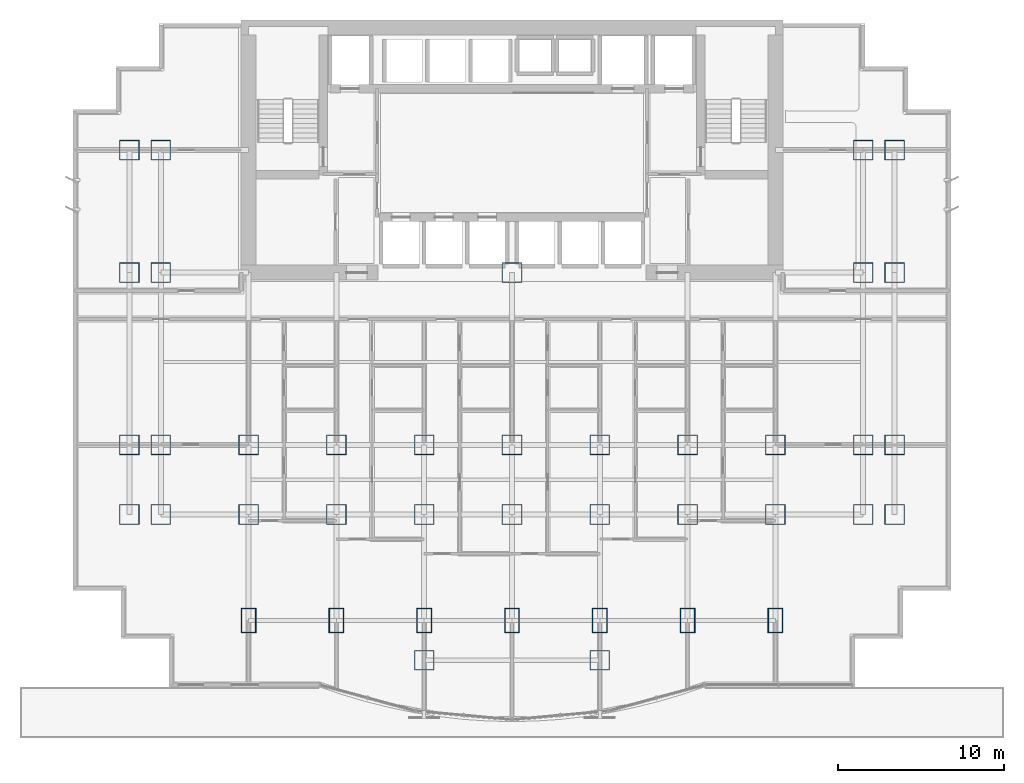
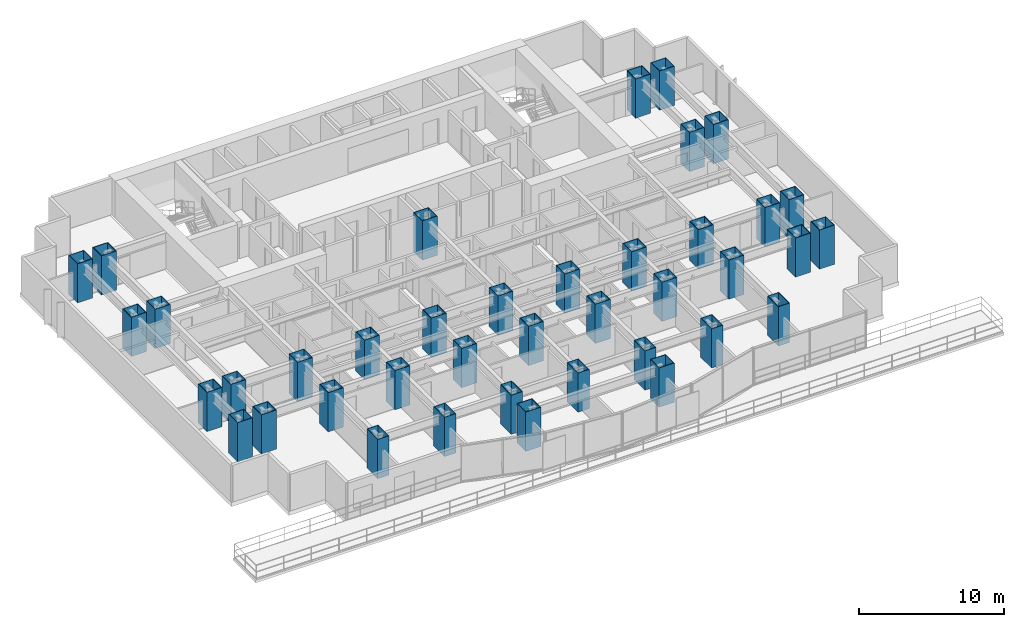
# One storey, part 1 of 11: 40 columns.
"""IFC4 building model written with IfcOpenShell, lengths in metres."""

import ifcopenshell
import ifcopenshell.guid

model = None  # the IFC model being written
_history = None  # IfcOwnerHistory: only IFC2X3 demands one
_inside = {}  # id of a spatial element -> (the spatial element, [elements in it])
_under = {}  # id of a project, library or spatial element -> (it, [spatial elements below it])
_declared = {}  # id of a project -> (the project, [libraries it declares])
_typed = {}  # id of a type object -> (the type object, [elements of that type])
_made_of = {}  # id of a material, layer set ... -> (it, [elements and type objects made of it])


def new_model(schema):
    """Start an empty IFC model of exactly this schema.

    Asked for "IFC4X3", IfcOpenShell would pick the latest addendum, in which some entities
    have other attributes; the version numbers below select the first issue.
    IFC2X3 requires an IfcOwnerHistory on every rooted entity: one is made here for all.
    """
    global model, _history
    if schema == "IFC4X3":
        model = ifcopenshell.file(schema_version=(4, 3, 0, 0))
    else:
        model = ifcopenshell.file(schema=schema)
    _inside.clear()
    _under.clear()
    _declared.clear()
    _typed.clear()
    _made_of.clear()
    _history = None
    if model.schema == "IFC2X3":
        org = make("IfcOrganization", Name="unknown")
        user = make(
            "IfcPersonAndOrganization",
            ThePerson=make("IfcPerson", FamilyName="unknown"),
            TheOrganization=org,
        )
        app = make(
            "IfcApplication",
            ApplicationDeveloper=org,
            Version="unknown",
            ApplicationFullName="unknown",
            ApplicationIdentifier="unknown",
        )
        _history = make(
            "IfcOwnerHistory",
            OwningUser=user,
            OwningApplication=app,
            ChangeAction="ADDED",
            CreationDate=0,
        )
    return model


def make(cls, **values):
    """One entity of the class cls with the attributes given. An attribute that is None is left unset."""
    return model.create_entity(
        cls, **{name: value for name, value in values.items() if value is not None}
    )


def rooted(cls, **values):
    """An entity with a GlobalId (a new one), such as an element, a storey or a relation."""
    return make(cls, GlobalId=ifcopenshell.guid.new(), OwnerHistory=_history, **values)


def si_unit(unit_type, name, prefix=None):
    """IfcSIUnit, for example si_unit("LENGTHUNIT", "METRE", prefix="MILLI")."""
    return make("IfcSIUnit", UnitType=unit_type, Prefix=prefix, Name=name)


def assignment(units):
    """IfcUnitAssignment: the units of a project."""
    return None if units is None else make("IfcUnitAssignment", Units=units)


def point(xyz):
    """IfcCartesianPoint."""
    return None if xyz is None else make("IfcCartesianPoint", Coordinates=xyz)


def direction(xyz):
    """IfcDirection."""
    return None if xyz is None else make("IfcDirection", DirectionRatios=xyz)


def frame(location, z_axis=None, x_axis=None):
    """IfcAxis2Placement3D, a coordinate frame: its origin and axes. An axis left out is left unset."""
    return make(
        "IfcAxis2Placement3D",
        Location=point(location),
        Axis=direction(z_axis),
        RefDirection=direction(x_axis),
    )


def frame_2d(location, x_axis=None):
    """IfcAxis2Placement2D, a coordinate frame in the plane: its origin and x axis."""
    return make(
        "IfcAxis2Placement2D", Location=point(location), RefDirection=direction(x_axis)
    )


def origin():
    """The frame at (0, 0, 0) with its axes left unset."""
    return frame((0.0, 0.0, 0.0))


def origin_2d():
    """The frame at (0, 0) in the plane with its x axis left unset."""
    return frame_2d((0.0, 0.0))


def place(relative_to, where):
    """IfcLocalPlacement: puts the frame where relative to a parent placement (None: the world)."""
    return make(
        "IfcLocalPlacement", PlacementRelTo=relative_to, RelativePlacement=where
    )


def context(
    kind, dimensions, precision=None, world=None, true_north=None, identifier=None
):
    """IfcGeometricRepresentationContext, for example the 3D "Model" context."""
    return make(
        "IfcGeometricRepresentationContext",
        ContextIdentifier=identifier,
        ContextType=kind,
        CoordinateSpaceDimension=dimensions,
        Precision=precision,
        WorldCoordinateSystem=world,
        TrueNorth=true_north,
    )


def subcontext(parent, identifier, kind, view, scale=None):
    """IfcGeometricRepresentationSubContext, for example "Body" below "Model"."""
    return make(
        "IfcGeometricRepresentationSubContext",
        ContextIdentifier=identifier,
        ContextType=kind,
        ParentContext=parent,
        TargetScale=scale,
        TargetView=view,
    )


def project(units=None, contexts=None):
    """IfcProject with its units and contexts."""
    return rooted(
        "IfcProject",
        Name="project",
        RepresentationContexts=contexts,
        UnitsInContext=assignment(units),
    )


def spatial(cls, under=None, at=None, **own):
    """A site, building, storey or space (cls), placed at a placement, below another one or the project."""
    s = rooted(cls, ObjectPlacement=at, **own)
    if under is not None:
        _under.setdefault(under.id(), (under, []))[1].append(s)
    return s


def profile(cls, at=None, kind="AREA", **sizes):
    """A parametric profile (cls). Its sizes go by their IFC names, for example OverallWidth=200.0."""
    return make(cls, ProfileType=kind, Position=at, **sizes)


def hollow_rectangle(**sizes):
    """IfcRectangleHollowProfileDef."""
    return profile("IfcRectangleHollowProfileDef", **sizes)


def extrude(swept, where, along, depth):
    """IfcExtrudedAreaSolid: the profile swept, set in the frame where, extruded along a direction by depth."""
    return make(
        "IfcExtrudedAreaSolid",
        SweptArea=swept,
        Position=where,
        ExtrudedDirection=direction(along),
        Depth=depth,
    )


def shape(context_of_items, identifier, shape_type, items):
    """IfcShapeRepresentation: the items that make up one representation, for example the "Body"."""
    return make(
        "IfcShapeRepresentation",
        ContextOfItems=context_of_items,
        RepresentationIdentifier=identifier,
        RepresentationType=shape_type,
        Items=items,
    )


def material(Name=None, Category=None):
    """IfcMaterial."""
    return make("IfcMaterial", Name=Name, Category=Category)


def material_profile(
    of_material, cross_section, Name=None, Category=None, Priority=None
):
    """IfcMaterialProfile: a cross section and its material."""
    return make(
        "IfcMaterialProfile",
        Name=Name,
        Material=of_material,
        Profile=cross_section,
        Priority=Priority,
        Category=Category,
    )


def profile_set(profiles, Name=None, composite=None):
    """IfcMaterialProfileSet."""
    return make(
        "IfcMaterialProfileSet",
        Name=Name,
        MaterialProfiles=profiles,
        CompositeProfile=composite,
    )


def made_of(thing, what):
    """Note that an element or type object is made of a material, layer set ...; save() writes the relation."""
    if what is not None:
        _made_of.setdefault(what.id(), (what, []))[1].append(thing)
    return thing


def type_object(cls, material=None, **own):
    """A type object (cls), such as IfcWallType, which elements share."""
    return made_of(rooted(cls, **own), material)


def element(
    cls,
    number,
    at=None,
    inside=None,
    cuts=None,
    type_object=None,
    material=None,
    context=None,
    identifier="Body",
    shape_type=None,
    held_by="IfcProductDefinitionShape",
    body=None,
    shapes=None,
    **own,
):
    """One element of the class cls, such as IfcWall. Its Tag is "e" and its number.

    at: its placement. inside: the storey or other place that contains it. cuts: it is an
    opening in that element (IfcRelVoidsElement). A single representation is given by context,
    identifier, shape_type and body (its items); several are given by shapes. held_by: the class
    of the entity that holds the representations. save() writes the other relations.
    """
    e = rooted(cls, Tag="e%d" % number, ObjectPlacement=at, **own)
    if body is not None:
        shapes = [shape(context, identifier, shape_type, body)]
    if shapes is not None:
        e.Representation = make(held_by, Representations=shapes)
    if inside is not None:
        _inside.setdefault(inside.id(), (inside, []))[1].append(e)
    if cuts is not None:
        rooted(
            "IfcRelVoidsElement", RelatingBuildingElement=cuts, RelatedOpeningElement=e
        )
    if type_object is not None:
        _typed.setdefault(type_object.id(), (type_object, []))[1].append(e)
    return made_of(e, material)


def aggregate(whole, parts):
    """IfcRelAggregates: a whole, such as a stair, and the parts it consists of."""
    return rooted("IfcRelAggregates", RelatingObject=whole, RelatedObjects=parts)


def save(model, path):
    """Write the relations noted so far, then the file.

    IfcRelAggregates (storeys below a building ...), IfcRelContainedInSpatialStructure (elements
    in a storey), IfcRelDefinesByType, IfcRelAssociatesMaterial and IfcRelDeclares: one each for
    every whole, place, type object, material and project.
    """
    for whole, parts in _under.values():
        aggregate(whole, parts)
    for where, things in _inside.values():
        rooted(
            "IfcRelContainedInSpatialStructure",
            RelatedElements=things,
            RelatingStructure=where,
        )
    for kind, things in _typed.values():
        rooted("IfcRelDefinesByType", RelatedObjects=things, RelatingType=kind)
    for what, things in _made_of.values():
        rooted("IfcRelAssociatesMaterial", RelatedObjects=things, RelatingMaterial=what)
    for by, libraries in _declared.values():
        rooted("IfcRelDeclares", RelatingContext=by, RelatedDefinitions=libraries)
    model.write(path)


model = new_model("IFC4")

# Units and contexts
model_context = context("Model", 3, precision=1e-05, world=origin(), true_north=direction((0.0, 1.0)))
body_context = subcontext(model_context, "Body", "Model", "MODEL_VIEW")
ifc_project = project(units=[si_unit("LENGTHUNIT", "METRE"), si_unit("AREAUNIT", "SQUARE_METRE"), si_unit("VOLUMEUNIT", "CUBIC_METRE"), si_unit("PLANEANGLEUNIT", "RADIAN"), si_unit("MASSUNIT", "GRAM", prefix="KILO")], contexts=[model_context])

# Site, building, storey
site_placement = place(None, origin())
site = spatial("IfcSite", under=ifc_project, at=site_placement, CompositionType="ELEMENT")
building_placement = place(site_placement, origin())
building = spatial("IfcBuilding", under=site, at=building_placement, Name="Qianlan Lanfeng Residences", CompositionType="ELEMENT")
storey_placement = place(building_placement, frame((0.0, 0.0, 24.199951171875)))
storey = spatial("IfcBuildingStorey", under=building, at=storey_placement, Name="L05", CompositionType="ELEMENT", Elevation=24.199951171875)

# Columns
ifc_material_1 = material(Name="Steel SM570 (420 MPa)", Category="steel")
ifc_material_profile_1 = material_profile(ifc_material_1, hollow_rectangle(XDim=1.199951171875, YDim=1.199951171875, WallThickness=0.0400390625, at=origin_2d()), Name="BOX 1200x1200x40")
ifc_profile_set_1 = profile_set([ifc_material_profile_1], Name="Steel SM570 (420 MPa)")
column_type_1 = type_object("IfcColumnType", Name="C-B1400", PredefinedType="COLUMN", material=ifc_profile_set_1)
for number, where, z_axis, x_axis, name in (
    (1, (26.5, 25.199951171875, 0.0), (0.0, 0.0, 1.0), (1.0, 0.0, 0.0), "L05 Structural Column CP_26.5_25.2"),
    (2, (10.60009765625, 14.800048828125, 0.0), (0.0, 0.0, 1.0), (1.0, 0.0, 0.0), "L05 Structural Column M_10.60_14.80"),
    (3, (10.60009765625, 10.60009765625, 0.0), (0.0, 0.0, 1.0), (1.0, 0.0, 0.0), "L05 Structural Column G_10.60_10.60"),
    (4, (15.89990234375, 14.800048828125, 0.0), (0.0, 0.0, 1.0), (1.0, 0.0, 0.0), "L05 Structural Column M_15.90_14.80"),
    (5, (15.89990234375, 10.60009765625, 0.0), (0.0, 0.0, 1.0), (1.0, 0.0, 0.0), "L05 Structural Column G_15.90_10.60"),
    (6, (21.199951171875, 14.800048828125, 0.0), (0.0, 0.0, 1.0), (1.0, 0.0, 0.0), "L05 Structural Column M_21.20_14.80"),
    (7, (21.199951171875, 10.60009765625, 0.0), (0.0, 0.0, 1.0), (1.0, 0.0, 0.0), "L05 Structural Column G_21.20_10.60"),
    (8, (26.5, 14.800048828125, 0.0), (0.0, 0.0, 1.0), (1.0, 0.0, 0.0), "L05 Structural Column M_26.50_14.80"),
    (9, (26.5, 10.60009765625, 0.0), (0.0, 0.0, 1.0), (1.0, 0.0, 0.0), "L05 Structural Column G_26.50_10.60"),
    (10, (31.800048828125, 14.800048828125, 0.0), (0.0, 0.0, 1.0), (1.0, 0.0, 0.0), "L05 Structural Column M_31.80_14.80"),
    (11, (31.800048828125, 10.60009765625, 0.0), (0.0, 0.0, 1.0), (1.0, 0.0, 0.0), "L05 Structural Column G_31.80_10.60"),
    (12, (37.10009765625, 14.800048828125, 0.0), (0.0, 0.0, 1.0), (1.0, 0.0, 0.0), "L05 Structural Column M_37.10_14.80"),
    (13, (37.10009765625, 10.60009765625, 0.0), (0.0, 0.0, 1.0), (1.0, 0.0, 0.0), "L05 Structural Column G_37.10_10.60"),
    (14, (42.39990234375, 14.800048828125, 0.0), (0.0, 0.0, 1.0), (1.0, 0.0, 0.0), "L05 Structural Column M_42.40_14.80"),
    (15, (42.39990234375, 10.60009765625, 0.0), (0.0, 0.0, 1.0), (1.0, 0.0, 0.0), "L05 Structural Column G_42.40_10.60"),
    (16, (21.199951171875, 1.800048828125, 0.0), (0.0, 0.0, 1.0), (1.0, 0.0, 0.0), "L05 Structural Column P_21.20_1.80"),
    (17, (31.800048828125, 1.800048828125, 0.0), (0.0, 0.0, 1.0), (1.0, 0.0, 0.0), "L05 Structural Column P_31.80_1.80"),
    (18, (3.39990234375, 10.60009765625, 0.0), (0.0, 0.0, 1.0), (1.0, 0.0, 0.0), "L05 Structural Column W_3.40_10.60"),
    (19, (3.39990234375, 14.800048828125, 0.0), (0.0, 0.0, 1.0), (1.0, 0.0, 0.0), "L05 Structural Column W_3.40_14.80"),
    (20, (3.39990234375, 25.199951171875, 0.0), (0.0, 0.0, 1.0), (1.0, 0.0, 0.0), "L05 Structural Column W_3.40_25.20"),
    (21, (3.39990234375, 32.60009765625, 0.0), (0.0, 0.0, 1.0), (1.0, 0.0, 0.0), "L05 Structural Column W_3.40_32.60"),
    (22, (5.300048828125, 10.60009765625, 0.0), (0.0, 0.0, 1.0), (1.0, 0.0, 0.0), "L05 Structural Column W_5.30_10.60"),
    (23, (5.300048828125, 14.800048828125, 0.0), (0.0, 0.0, 1.0), (1.0, 0.0, 0.0), "L05 Structural Column W_5.30_14.80"),
    (24, (5.300048828125, 25.199951171875, 0.0), (0.0, 0.0, 1.0), (1.0, 0.0, 0.0), "L05 Structural Column W_5.30_25.20"),
    (25, (5.300048828125, 32.60009765625, 0.0), (0.0, 0.0, 1.0), (1.0, 0.0, 0.0), "L05 Structural Column W_5.30_32.60"),
    (26, (47.699951171875, 10.60009765625, 0.0), (0.0, 0.0, 1.0), (1.0, 0.0, 0.0), "L05 Structural Column W_47.70_10.60"),
    (27, (47.699951171875, 14.800048828125, 0.0), (0.0, 0.0, 1.0), (1.0, 0.0, 0.0), "L05 Structural Column W_47.70_14.80"),
    (28, (47.699951171875, 25.199951171875, 0.0), (0.0, 0.0, 1.0), (1.0, 0.0, 0.0), "L05 Structural Column W_47.70_25.20"),
    (29, (47.699951171875, 32.60009765625, 0.0), (0.0, 0.0, 1.0), (1.0, 0.0, 0.0), "L05 Structural Column W_47.70_32.60"),
    (30, (49.60009765625, 10.60009765625, 0.0), (0.0, 0.0, 1.0), (1.0, 0.0, 0.0), "L05 Structural Column W_49.60_10.60"),
    (31, (49.60009765625, 14.800048828125, 0.0), (0.0, 0.0, 1.0), (1.0, 0.0, 0.0), "L05 Structural Column W_49.60_14.80"),
    (32, (49.60009765625, 25.199951171875, 0.0), (0.0, 0.0, 1.0), (1.0, 0.0, 0.0), "L05 Structural Column W_49.60_25.20"),
    (33, (49.60009765625, 32.60009765625, 0.0), (0.0, 0.0, 1.0), (1.0, 0.0, 0.0), "L05 Structural Column W_49.60_32.60"),
):
    element("IfcColumn", number, at=place(storey_placement, frame(where, z_axis=z_axis, x_axis=x_axis)), inside=storey, type_object=column_type_1, Name=name, PredefinedType="COLUMN", context=body_context, shape_type="SweptSolid", body=[
        extrude(hollow_rectangle(XDim=1.199951171875, YDim=1.199951171875, WallThickness=0.0400390625, at=origin_2d()), origin(), (0.0, 0.0, 1.0), 3.300048828125),
    ])
ifc_material_2 = material(Name="Steel SN490B", Category="steel")
ifc_material_profile_2 = material_profile(ifc_material_2, hollow_rectangle(XDim=0.89990234375, YDim=1.5, WallThickness=0.035888671875, at=origin_2d()), Name="BOX 1500x900x36")
ifc_profile_set_2 = profile_set([ifc_material_profile_2], Name="Steel SN490B")
column_type_2 = type_object("IfcColumnType", Name="CE-B1250", PredefinedType="COLUMN", material=ifc_profile_set_2)
for number, where, z_axis, x_axis, name in (
    (34, (10.60009765625, 4.199951171875, 0.0), (0.0, 0.0, 1.0), (1.0, 0.0, 0.0), "L05 Structural Column S_10.60_4.20"),
    (35, (15.89990234375, 4.199951171875, 0.0), (0.0, 0.0, 1.0), (1.0, 0.0, 0.0), "L05 Structural Column S_15.90_4.20"),
    (36, (21.199951171875, 4.199951171875, 0.0), (0.0, 0.0, 1.0), (1.0, 0.0, 0.0), "L05 Structural Column S_21.20_4.20"),
    (37, (26.5, 4.199951171875, 0.0), (0.0, 0.0, 1.0), (1.0, 0.0, 0.0), "L05 Structural Column S_26.50_4.20"),
    (38, (31.800048828125, 4.199951171875, 0.0), (0.0, 0.0, 1.0), (1.0, 0.0, 0.0), "L05 Structural Column S_31.80_4.20"),
    (39, (37.10009765625, 4.199951171875, 0.0), (0.0, 0.0, 1.0), (1.0, 0.0, 0.0), "L05 Structural Column S_37.10_4.20"),
    (40, (42.39990234375, 4.199951171875, 0.0), (0.0, 0.0, 1.0), (1.0, 0.0, 0.0), "L05 Structural Column S_42.40_4.20"),
):
    element("IfcColumn", number, at=place(storey_placement, frame(where, z_axis=z_axis, x_axis=x_axis)), inside=storey, type_object=column_type_2, Name=name, PredefinedType="COLUMN", context=body_context, shape_type="SweptSolid", body=[
        extrude(hollow_rectangle(XDim=0.89990234375, YDim=1.5, WallThickness=0.035888671875, at=origin_2d()), origin(), (0.0, 0.0, 1.0), 3.300048828125),
    ])

save(model, "model.ifc")
